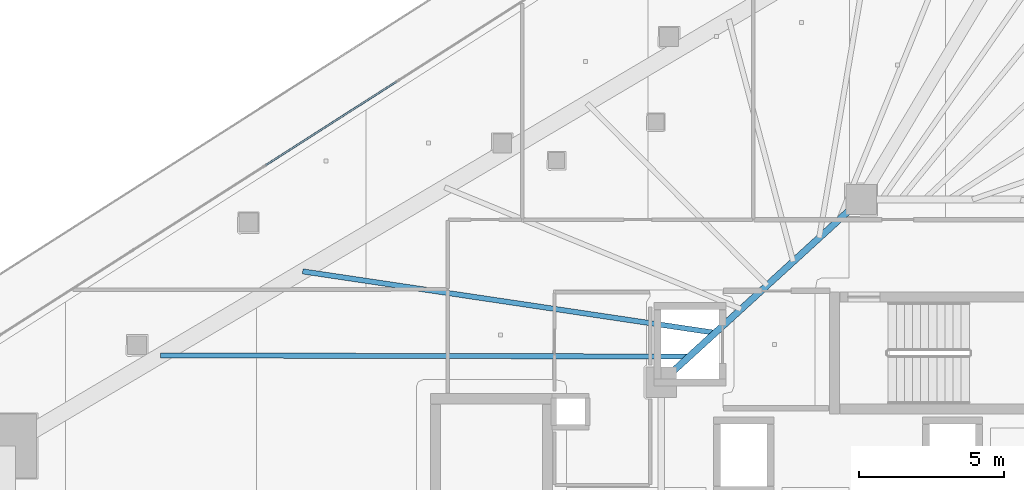
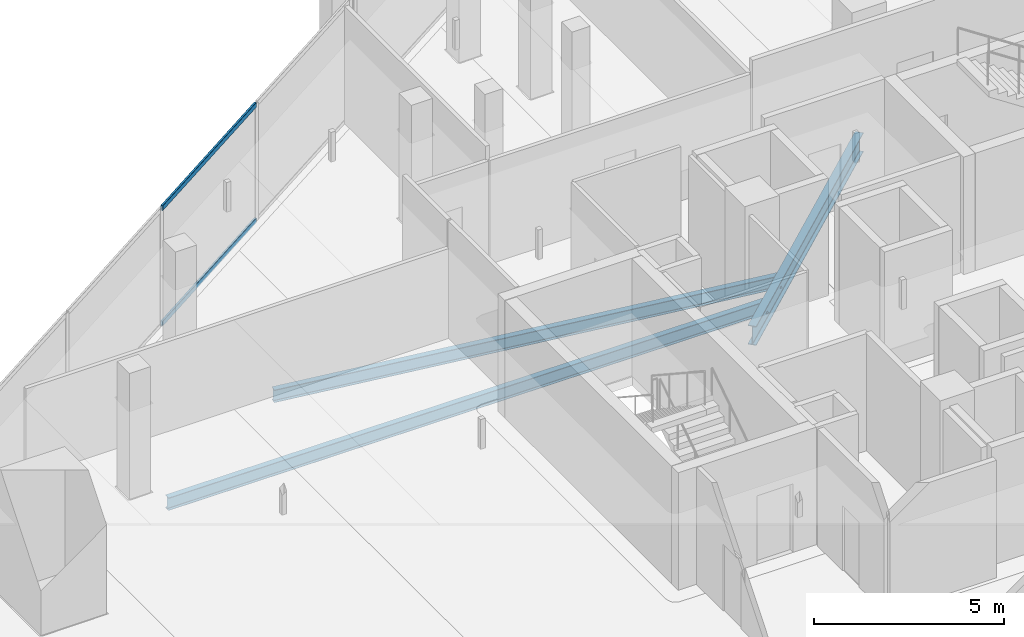
# One storey, part 13 of 35: 3 beams, 2 members, 1 element without a shape of its own.
"""IFC4 building model written with IfcOpenShell, lengths in metres."""

import ifcopenshell
import ifcopenshell.guid

model = None  # the IFC model being written
_history = None  # IfcOwnerHistory: only IFC2X3 demands one
_inside = {}  # id of a spatial element -> (the spatial element, [elements in it])
_under = {}  # id of a project, library or spatial element -> (it, [spatial elements below it])
_declared = {}  # id of a project -> (the project, [libraries it declares])
_typed = {}  # id of a type object -> (the type object, [elements of that type])
_made_of = {}  # id of a material, layer set ... -> (it, [elements and type objects made of it])


def new_model(schema):
    """Start an empty IFC model of exactly this schema.

    Asked for "IFC4X3", IfcOpenShell would pick the latest addendum, in which some entities
    have other attributes; the version numbers below select the first issue.
    IFC2X3 requires an IfcOwnerHistory on every rooted entity: one is made here for all.
    """
    global model, _history
    if schema == "IFC4X3":
        model = ifcopenshell.file(schema_version=(4, 3, 0, 0))
    else:
        model = ifcopenshell.file(schema=schema)
    _inside.clear()
    _under.clear()
    _declared.clear()
    _typed.clear()
    _made_of.clear()
    _history = None
    if model.schema == "IFC2X3":
        org = make("IfcOrganization", Name="unknown")
        user = make(
            "IfcPersonAndOrganization",
            ThePerson=make("IfcPerson", FamilyName="unknown"),
            TheOrganization=org,
        )
        app = make(
            "IfcApplication",
            ApplicationDeveloper=org,
            Version="unknown",
            ApplicationFullName="unknown",
            ApplicationIdentifier="unknown",
        )
        _history = make(
            "IfcOwnerHistory",
            OwningUser=user,
            OwningApplication=app,
            ChangeAction="ADDED",
            CreationDate=0,
        )
    return model


def make(cls, **values):
    """One entity of the class cls with the attributes given. An attribute that is None is left unset."""
    return model.create_entity(
        cls, **{name: value for name, value in values.items() if value is not None}
    )


def rooted(cls, **values):
    """An entity with a GlobalId (a new one), such as an element, a storey or a relation."""
    return make(cls, GlobalId=ifcopenshell.guid.new(), OwnerHistory=_history, **values)


def si_unit(unit_type, name, prefix=None):
    """IfcSIUnit, for example si_unit("LENGTHUNIT", "METRE", prefix="MILLI")."""
    return make("IfcSIUnit", UnitType=unit_type, Prefix=prefix, Name=name)


def assignment(units):
    """IfcUnitAssignment: the units of a project."""
    return None if units is None else make("IfcUnitAssignment", Units=units)


def point(xyz):
    """IfcCartesianPoint."""
    return None if xyz is None else make("IfcCartesianPoint", Coordinates=xyz)


def direction(xyz):
    """IfcDirection."""
    return None if xyz is None else make("IfcDirection", DirectionRatios=xyz)


def frame(location, z_axis=None, x_axis=None):
    """IfcAxis2Placement3D, a coordinate frame: its origin and axes. An axis left out is left unset."""
    return make(
        "IfcAxis2Placement3D",
        Location=point(location),
        Axis=direction(z_axis),
        RefDirection=direction(x_axis),
    )


def frame_2d(location, x_axis=None):
    """IfcAxis2Placement2D, a coordinate frame in the plane: its origin and x axis."""
    return make(
        "IfcAxis2Placement2D", Location=point(location), RefDirection=direction(x_axis)
    )


def origin():
    """The frame at (0, 0, 0) with its axes left unset."""
    return frame((0.0, 0.0, 0.0))


def origin_2d():
    """The frame at (0, 0) in the plane with its x axis left unset."""
    return frame_2d((0.0, 0.0))


def place(relative_to, where):
    """IfcLocalPlacement: puts the frame where relative to a parent placement (None: the world)."""
    return make(
        "IfcLocalPlacement", PlacementRelTo=relative_to, RelativePlacement=where
    )


def context(
    kind, dimensions, precision=None, world=None, true_north=None, identifier=None
):
    """IfcGeometricRepresentationContext, for example the 3D "Model" context."""
    return make(
        "IfcGeometricRepresentationContext",
        ContextIdentifier=identifier,
        ContextType=kind,
        CoordinateSpaceDimension=dimensions,
        Precision=precision,
        WorldCoordinateSystem=world,
        TrueNorth=true_north,
    )


def subcontext(parent, identifier, kind, view, scale=None):
    """IfcGeometricRepresentationSubContext, for example "Body" below "Model"."""
    return make(
        "IfcGeometricRepresentationSubContext",
        ContextIdentifier=identifier,
        ContextType=kind,
        ParentContext=parent,
        TargetScale=scale,
        TargetView=view,
    )


def project(units=None, contexts=None):
    """IfcProject with its units and contexts."""
    return rooted(
        "IfcProject",
        Name="project",
        RepresentationContexts=contexts,
        UnitsInContext=assignment(units),
    )


def spatial(cls, under=None, at=None, **own):
    """A site, building, storey or space (cls), placed at a placement, below another one or the project."""
    s = rooted(cls, ObjectPlacement=at, **own)
    if under is not None:
        _under.setdefault(under.id(), (under, []))[1].append(s)
    return s


def profile(cls, at=None, kind="AREA", **sizes):
    """A parametric profile (cls). Its sizes go by their IFC names, for example OverallWidth=200.0."""
    return make(cls, ProfileType=kind, Position=at, **sizes)


def hollow_rectangle(**sizes):
    """IfcRectangleHollowProfileDef."""
    return profile("IfcRectangleHollowProfileDef", **sizes)


def i_section(**sizes):
    """IfcIShapeProfileDef."""
    return profile("IfcIShapeProfileDef", **sizes)


def extrude(swept, where, along, depth):
    """IfcExtrudedAreaSolid: the profile swept, set in the frame where, extruded along a direction by depth."""
    return make(
        "IfcExtrudedAreaSolid",
        SweptArea=swept,
        Position=where,
        ExtrudedDirection=direction(along),
        Depth=depth,
    )


def shape(context_of_items, identifier, shape_type, items):
    """IfcShapeRepresentation: the items that make up one representation, for example the "Body"."""
    return make(
        "IfcShapeRepresentation",
        ContextOfItems=context_of_items,
        RepresentationIdentifier=identifier,
        RepresentationType=shape_type,
        Items=items,
    )


def material(Name=None, Category=None):
    """IfcMaterial."""
    return make("IfcMaterial", Name=Name, Category=Category)


def layer(
    of_material, thickness, ventilated=None, Name=None, Category=None, Priority=None
):
    """IfcMaterialLayer: one layer of a wall or slab, of a material (None: an air gap)."""
    return make(
        "IfcMaterialLayer",
        Material=of_material,
        LayerThickness=thickness,
        IsVentilated=ventilated,
        Name=Name,
        Category=Category,
        Priority=Priority,
    )


def layer_set(layers, Name=None):
    """IfcMaterialLayerSet."""
    return make("IfcMaterialLayerSet", MaterialLayers=layers, LayerSetName=Name)


def material_profile(
    of_material, cross_section, Name=None, Category=None, Priority=None
):
    """IfcMaterialProfile: a cross section and its material."""
    return make(
        "IfcMaterialProfile",
        Name=Name,
        Material=of_material,
        Profile=cross_section,
        Priority=Priority,
        Category=Category,
    )


def profile_set(profiles, Name=None, composite=None):
    """IfcMaterialProfileSet."""
    return make(
        "IfcMaterialProfileSet",
        Name=Name,
        MaterialProfiles=profiles,
        CompositeProfile=composite,
    )


def made_of(thing, what):
    """Note that an element or type object is made of a material, layer set ...; save() writes the relation."""
    if what is not None:
        _made_of.setdefault(what.id(), (what, []))[1].append(thing)
    return thing


def type_object(cls, material=None, **own):
    """A type object (cls), such as IfcWallType, which elements share."""
    return made_of(rooted(cls, **own), material)


def element(
    cls,
    number,
    at=None,
    inside=None,
    cuts=None,
    type_object=None,
    material=None,
    context=None,
    identifier="Body",
    shape_type=None,
    held_by="IfcProductDefinitionShape",
    body=None,
    shapes=None,
    **own,
):
    """One element of the class cls, such as IfcWall. Its Tag is "e" and its number.

    at: its placement. inside: the storey or other place that contains it. cuts: it is an
    opening in that element (IfcRelVoidsElement). A single representation is given by context,
    identifier, shape_type and body (its items); several are given by shapes. held_by: the class
    of the entity that holds the representations. save() writes the other relations.
    """
    e = rooted(cls, Tag="e%d" % number, ObjectPlacement=at, **own)
    if body is not None:
        shapes = [shape(context, identifier, shape_type, body)]
    if shapes is not None:
        e.Representation = make(held_by, Representations=shapes)
    if inside is not None:
        _inside.setdefault(inside.id(), (inside, []))[1].append(e)
    if cuts is not None:
        rooted(
            "IfcRelVoidsElement", RelatingBuildingElement=cuts, RelatedOpeningElement=e
        )
    if type_object is not None:
        _typed.setdefault(type_object.id(), (type_object, []))[1].append(e)
    return made_of(e, material)


def aggregate(whole, parts):
    """IfcRelAggregates: a whole, such as a stair, and the parts it consists of."""
    return rooted("IfcRelAggregates", RelatingObject=whole, RelatedObjects=parts)


def save(model, path):
    """Write the relations noted so far, then the file.

    IfcRelAggregates (storeys below a building ...), IfcRelContainedInSpatialStructure (elements
    in a storey), IfcRelDefinesByType, IfcRelAssociatesMaterial and IfcRelDeclares: one each for
    every whole, place, type object, material and project.
    """
    for whole, parts in _under.values():
        aggregate(whole, parts)
    for where, things in _inside.values():
        rooted(
            "IfcRelContainedInSpatialStructure",
            RelatedElements=things,
            RelatingStructure=where,
        )
    for kind, things in _typed.values():
        rooted("IfcRelDefinesByType", RelatedObjects=things, RelatingType=kind)
    for what, things in _made_of.values():
        rooted("IfcRelAssociatesMaterial", RelatedObjects=things, RelatingMaterial=what)
    for by, libraries in _declared.values():
        rooted("IfcRelDeclares", RelatingContext=by, RelatedDefinitions=libraries)
    model.write(path)


model = new_model("IFC4")

# Units and contexts
model_context = context("Model", 3, precision=1e-05, world=origin(), true_north=direction((0.0, 1.0)))
body_context = subcontext(model_context, "Body", "Model", "MODEL_VIEW")
ifc_project = project(units=[si_unit("LENGTHUNIT", "METRE"), si_unit("AREAUNIT", "SQUARE_METRE"), si_unit("VOLUMEUNIT", "CUBIC_METRE"), si_unit("PLANEANGLEUNIT", "RADIAN"), si_unit("MASSUNIT", "GRAM", prefix="KILO")], contexts=[model_context])

# Site, building, storey
site_placement = place(None, origin())
site = spatial("IfcSite", under=ifc_project, at=site_placement, CompositionType="ELEMENT")
building_placement = place(site_placement, origin())
building = spatial("IfcBuilding", under=site, at=building_placement, Name="Qorvath Tower", CompositionType="ELEMENT")
storey_placement = place(building_placement, frame((0.0, 0.0, 130.050048828125)))
storey = spatial("IfcBuildingStorey", under=building, at=storey_placement, Name="L29", CompositionType="ELEMENT", Elevation=130.050048828125)

# Beams
ifc_material_1 = material(Name="Steel ASTM A992 Grade 50", Category="steel")
ifc_material_profile_1 = material_profile(ifc_material_1, i_section(OverallWidth=0.22998046875, OverallDepth=0.616943359375, WebThickness=0.01318359375, FlangeThickness=0.022216796875, FilletRadius=0.014892578125, at=origin_2d()), Name="W24x94")
ifc_profile_set_1 = profile_set([ifc_material_profile_1], Name="Steel ASTM A992 Grade 50")
beam_type_1 = type_object("IfcBeamType", Name="BM-FG6", PredefinedType="BEAM", material=ifc_profile_set_1)
beam_1_placement = place(storey_placement, frame((-30.5, 5.14990234375, -0.588623046875), z_axis=(0.73847813985, 0.6742774184, 0.0), x_axis=(-0.6742774184, 0.73847813985, 0.0)))
element("IfcBeam", 1, at=beam_1_placement, inside=storey, type_object=beam_type_1, Name="Core Ring Girder CC5-CC1 L29", PredefinedType="BEAM", context=body_context, shape_type="SweptSolid", body=[
    extrude(i_section(OverallWidth=0.22998046875, OverallDepth=0.616943359375, WebThickness=0.01318359375, FlangeThickness=0.022216796875, FilletRadius=0.014892578125, at=origin_2d()), origin(), (0.0, 0.0, 1.0), 9.343505859375),
])
ifc_material_2 = material(Name="Steel ASTM A992 Grade 50", Category="steel")
ifc_material_profile_2 = material_profile(ifc_material_2, i_section(OverallWidth=0.177978515625, OverallDepth=0.406005859375, WebThickness=0.0078125, FlangeThickness=0.0126953125, FilletRadius=0.010986328125, at=origin_2d()), Name="W16x40")
ifc_profile_set_2 = profile_set([ifc_material_profile_2], Name="Steel ASTM A992 Grade 50")
beam_type_2 = type_object("IfcBeamType", Name="BM-FJ3", PredefinedType="JOIST", material=ifc_profile_set_2)
beam_2_placement = place(storey_placement, frame((-29.533935546875, 6.031982421875, -0.483154296875), z_axis=(-0.999997589883, 0.002195501951, 0.0), x_axis=(-0.002195501951, -0.999997589883, 0.0)))
element("IfcBeam", 2, at=beam_2_placement, inside=storey, type_object=beam_type_2, Name="Composite Floor Joist NW1 L29", PredefinedType="JOIST", context=body_context, shape_type="SweptSolid", body=[
    extrude(i_section(OverallWidth=0.177978515625, OverallDepth=0.406005859375, WebThickness=0.0078125, FlangeThickness=0.0126953125, FilletRadius=0.010986328125, at=origin_2d()), origin(), (0.0, 0.0, 1.0), 18.23681640625),
])
beam_3_placement = place(storey_placement, frame((-28.636962890625, 6.85107421875, -0.483154296875), z_axis=(-0.989092860328, 0.147293291256, 0.0), x_axis=(-0.147293291256, -0.989092860328, 0.0)))
element("IfcBeam", 3, at=beam_3_placement, inside=storey, type_object=beam_type_2, Name="Composite Floor Joist NW2 L29", PredefinedType="JOIST", context=body_context, shape_type="SweptSolid", body=[
    extrude(i_section(OverallWidth=0.177978515625, OverallDepth=0.406005859375, WebThickness=0.0078125, FlangeThickness=0.0126953125, FilletRadius=0.010986328125, at=origin_2d()), origin(), (0.0, 0.0, 1.0), 14.388916015625),
])

# Curtain wall, members
ifc_material_3 = material(Name="Anodised aluminium and triple low-E glass", Category="aluminium")
ifc_layer = layer(ifc_material_3, 0.179931640625)
ifc_layer_set = layer_set([ifc_layer], Name="CW-SYS-2")
curtain_wall_type = type_object("IfcCurtainWallType", Name="CW-SYS-2", PredefinedType="NOTDEFINED", material=ifc_layer_set)
curtain_wall_placement = place(storey_placement, origin())
curtain_wall = element("IfcCurtainWall", 4, at=curtain_wall_placement, inside=storey, type_object=curtain_wall_type, Name="Curtain Wall CW-2 CW-T-L29-16.3", PredefinedType="NOTDEFINED")
ifc_material_4 = material(Name="Anodised aluminium 6063-T6", Category="aluminium")
ifc_material_profile_3 = material_profile(ifc_material_4, hollow_rectangle(XDim=0.06494140625, YDim=0.159912109375, WallThickness=0.00341796875, InnerFilletRadius=0.00341796875, OuterFilletRadius=0.007080078125, at=origin_2d()), Name="CWT 160x65")
ifc_profile_set_3 = profile_set([ifc_material_profile_3], Name="Anodised aluminium 6063-T6")
member_type = type_object("IfcMemberType", Name="CWT-160", PredefinedType="USERDEFINED", material=ifc_profile_set_3)
member_1_placement = place(storey_placement, frame((-39.62841796875, 15.51953125, 0.032470703125), z_axis=(-0.842621067422, -0.538506951428, 0.0), x_axis=(0.538506951428, -0.842621067422, 0.0)))
member_1 = element("IfcMember", 5, at=member_1_placement, type_object=member_type, Name="CW-2 transom 2.1", ObjectType="TRANSOM", PredefinedType="USERDEFINED", context=body_context, shape_type="SweptSolid", body=[
    extrude(hollow_rectangle(XDim=0.06494140625, YDim=0.159912109375, WallThickness=0.00341796875, InnerFilletRadius=0.00341796875, OuterFilletRadius=0.007080078125, at=origin_2d()), origin(), (0.0, 0.0, 1.0), 5.361083984375),
])
member_2_placement = place(storey_placement, frame((-39.62841796875, 15.51953125, 3.74755859375), z_axis=(-0.842621067422, -0.538506951428, 0.0), x_axis=(0.538506951428, -0.842621067422, 0.0)))
member_2 = element("IfcMember", 6, at=member_2_placement, type_object=member_type, Name="CW-2 transom 2.2", ObjectType="TRANSOM", PredefinedType="USERDEFINED", context=body_context, shape_type="SweptSolid", body=[
    extrude(hollow_rectangle(XDim=0.06494140625, YDim=0.159912109375, WallThickness=0.00341796875, InnerFilletRadius=0.00341796875, OuterFilletRadius=0.007080078125, at=origin_2d()), origin(), (0.0, 0.0, 1.0), 5.361083984375),
])
aggregate(curtain_wall, [member_1, member_2])

save(model, "model.ifc")
